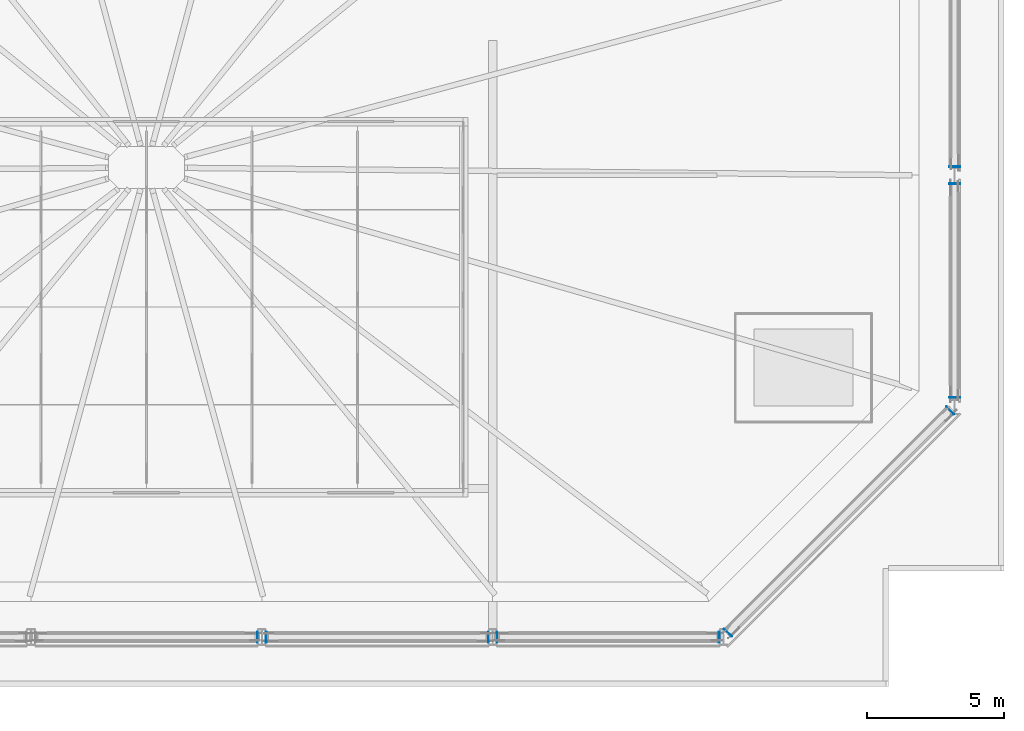
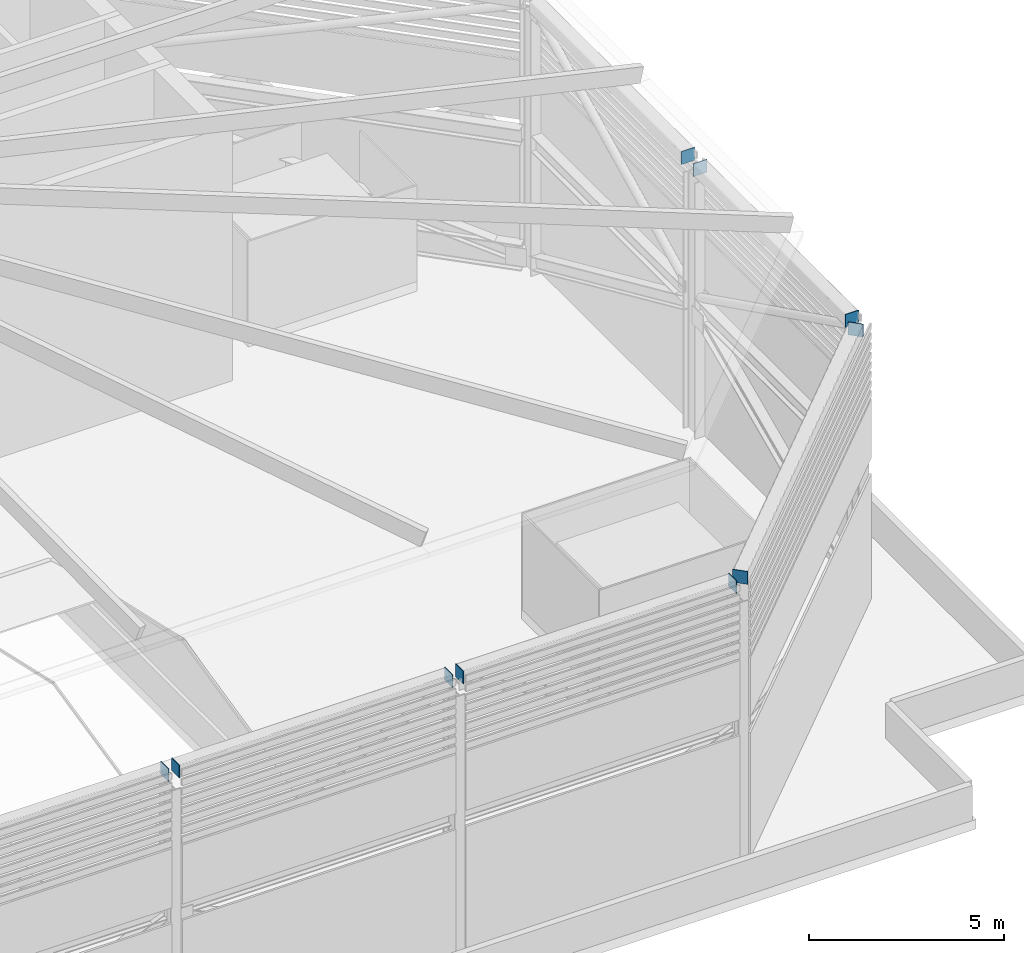
# One storey, part 10 of 22: 10 plates.
"""IFC4 building model written with IfcOpenShell, lengths in metres."""

from ifc_helpers import new_model, si_unit, direction, frame, origin, origin_2d, place, context, subcontext, project, spatial, rectangle, extrude, material, layer, layer_set, type_object, element, save


model = new_model("IFC4")

# Units and contexts
model_context = context("Model", 3, precision=1e-05, world=origin(), true_north=direction((0.0, 1.0)))
body_context = subcontext(model_context, "Body", "Model", "MODEL_VIEW")
ifc_project = project(units=[si_unit("LENGTHUNIT", "METRE"), si_unit("AREAUNIT", "SQUARE_METRE"), si_unit("VOLUMEUNIT", "CUBIC_METRE"), si_unit("PLANEANGLEUNIT", "RADIAN"), si_unit("MASSUNIT", "GRAM", prefix="KILO")], contexts=[model_context])

# Site, building, storey
site_placement = place(None, origin())
site = spatial("IfcSite", under=ifc_project, at=site_placement, CompositionType="ELEMENT")
building_placement = place(site_placement, origin())
building = spatial("IfcBuilding", under=site, at=building_placement, Name="Saffron Gate Tower", CompositionType="ELEMENT")
storey_placement = place(building_placement, frame((0.0, 0.0, 314.85009765625)))
storey = spatial("IfcBuildingStorey", under=building, at=storey_placement, Name="Roof crown", CompositionType="ELEMENT", Elevation=314.85009765625)

# Plates
ifc_material = material(Name="Structural steel S355", Category="steel")
ifc_layer = layer(ifc_material, 0.02001953125)
ifc_layer_set = layer_set([ifc_layer], Name="EP1 box end plate")
plate_type = type_object("IfcPlateType", Name="EP1 box end plate", PredefinedType="SHEET", material=ifc_layer_set)
for number, where, z_axis, x_axis, name in (
    (1, (91.639892578125, 40.199951171875, 8.25), (0.0, 0.0, 1.0), (1.0, 0.0, 0.0), "RING BEAM end plate"),
    (2, (91.9599609375, 40.199951171875, 8.25), (0.0, 0.0, 1.0), (1.0, 0.0, 0.0), "RING BEAM end plate"),
    (3, (100.0400390625, 40.199951171875, 8.25), (0.0, 0.0, 1.0), (1.0, 0.0, 0.0), "RING BEAM end plate"),
    (4, (100.360107421875, 40.199951171875, 8.25), (0.0, 0.0, 1.0), (1.0, 0.0, 0.0), "RING BEAM end plate"),
    (5, (108.43994140625, 40.199951171875, 8.25), (0.0, 0.0, 1.0), (1.0, 0.0, 0.0), "RING BEAM end plate"),
    (6, (108.757080078125, 40.35693359375, 8.25), (0.0, 0.0, 1.0), (0.707106781187, 0.707106781187, 0.0), "RING BEAM end plate"),
    (7, (116.843017578125, 48.443115234375, 8.25), (0.0, 0.0, 1.0), (0.707106781187, 0.707106781187, 0.0), "RING BEAM end plate"),
    (8, (117.0, 48.909912109375, 8.25), (0.0, 0.0, 1.0), (0.0, 1.0, 0.0), "RING BEAM end plate"),
    (9, (117.0, 56.68994140625, 8.25), (0.0, 0.0, 1.0), (0.0, 1.0, 0.0), "RING BEAM end plate"),
    (10, (117.0, 57.31005859375, 8.25), (0.0, 0.0, 1.0), (0.0, 1.0, 0.0), "RING BEAM end plate"),
):
    element("IfcPlate", number, at=place(storey_placement, frame(where, z_axis=z_axis, x_axis=x_axis)), inside=storey, type_object=plate_type, Name=name, PredefinedType="SHEET", context=body_context, shape_type="SweptSolid", body=[
        extrude(rectangle(XDim=0.02001953125, YDim=0.39990234375, at=origin_2d()), origin(), (0.0, 0.0, 1.0), 0.39990234375),
    ])

save(model, "model.ifc")
